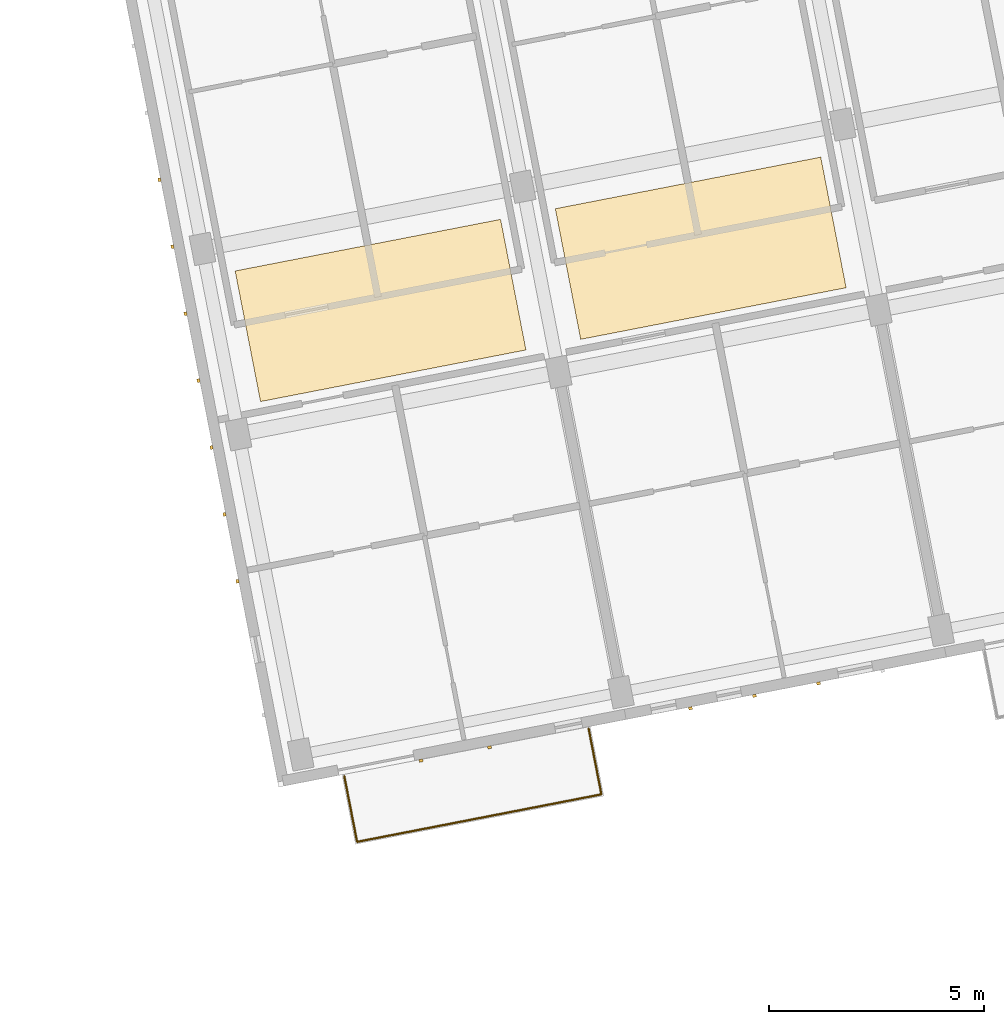
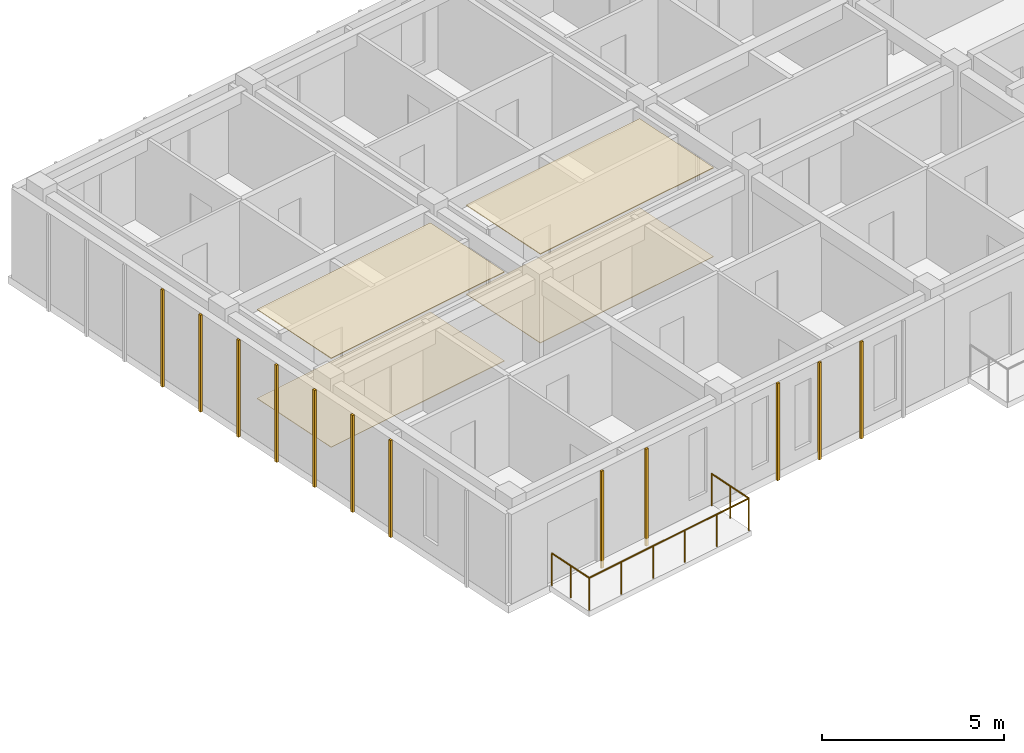
# One storey, part 102 of 127: 16 coverings, 1 railing.
"""IFC4 building model written with IfcOpenShell, lengths in metres."""

from ifc_helpers import new_model, si_unit, direction, frame, origin, origin_2d, place, context, subcontext, project, spatial, polyline, rectangle, circle, outline, extrude, material, layer, layer_set, type_object, element, save


model = new_model("IFC4")

# Units and contexts
model_context = context("Model", 3, precision=1e-05, world=origin(), true_north=direction((0.0, 1.0)))
body_context = subcontext(model_context, "Body", "Model", "MODEL_VIEW")
ifc_project = project(units=[si_unit("LENGTHUNIT", "METRE"), si_unit("AREAUNIT", "SQUARE_METRE"), si_unit("VOLUMEUNIT", "CUBIC_METRE"), si_unit("PLANEANGLEUNIT", "RADIAN"), si_unit("MASSUNIT", "GRAM", prefix="KILO")], contexts=[model_context])

# Site, building, storey
site_placement = place(None, origin())
site = spatial("IfcSite", under=ifc_project, at=site_placement, CompositionType="ELEMENT")
building_placement = place(site_placement, origin())
building = spatial("IfcBuilding", under=site, at=building_placement, Name="Kestramere Prow Commons", CompositionType="ELEMENT")
storey_placement = place(building_placement, frame((0.0, 0.0, 8.39990234375)))
storey = spatial("IfcBuildingStorey", under=building, at=storey_placement, Name="L02", CompositionType="ELEMENT", Elevation=8.39990234375)

# Coverings
ifc_material_1 = material(Name="Mineral Fibre Acoustic Ceiling Tile")
ifc_layer_1 = layer(ifc_material_1, 0.02490234375)
ifc_layer_set_1 = layer_set([ifc_layer_1], Name="Mineral Fibre Acoustic Ceiling Tile")
covering_type_1 = type_object("IfcCoveringType", Name="COV-CEIL-ACOUSTIC", PredefinedType="CEILING", material=ifc_layer_set_1)
covering_1_placement = place(storey_placement, frame((0.0, 0.0, 2.97509765625)))
element("IfcCovering", 1, at=covering_1_placement, inside=storey, type_object=covering_type_1, Name="Block D L02 Corridor Acoustic Ceiling 1", PredefinedType="CEILING", context=body_context, shape_type="SweptSolid", body=[
    extrude(outline(polyline([(117.4638671875, 42.222412109375), (123.648193359375, 43.424560546875), (123.056640625, 46.467529296875), (116.872314453125, 45.265380859375), (117.4638671875, 42.222412109375)])), origin(), (0.0, 0.0, 1.0), 0.02490234375),
])
covering_2_placement = place(storey_placement, frame((0.0, 0.0, 2.97509765625)))
element("IfcCovering", 2, at=covering_2_placement, inside=storey, type_object=covering_type_1, Name="Block D L02 Corridor Acoustic Ceiling 2", PredefinedType="CEILING", context=body_context, shape_type="SweptSolid", body=[
    extrude(outline(polyline([(124.92431640625, 43.672607421875), (131.1083984375, 44.874755859375), (130.51708984375, 47.917724609375), (124.332763671875, 46.715576171875), (124.92431640625, 43.672607421875)])), origin(), (0.0, 0.0, 1.0), 0.02490234375),
])
ifc_material_2 = material(Name="Weathered Zinc-Titanium Standing-Seam Cladding")
ifc_layer_2 = layer(ifc_material_2, 0.074951171875)
ifc_layer_set_2 = layer_set([ifc_layer_2], Name="Weathered Zinc-Titanium Standing-Seam Cladding")
covering_type_2 = type_object("IfcCoveringType", Name="COV-CLAD-SEAM", PredefinedType="CLADDING", material=ifc_layer_set_2)
for number, where, z_axis, x_axis, name in (
    (3, (122.79931640625, 34.1650390625, -0.25), (0.0, 0.0, 1.0), (-0.981627183448, -0.190808995377, 0.0), "EW-D-L02-S-0 Standing-Seam Rib 2"),
    (4, (121.2041015625, 33.85498046875, -0.25), (0.0, 0.0, 1.0), (-0.981627183448, -0.190808995377, 0.0), "EW-D-L02-S-0 Standing-Seam Rib 3"),
    (5, (130.4658203125, 35.6552734375, -0.25), (0.0, 0.0, 1.0), (-0.981627183448, -0.190808995377, 0.0), "EW-D-L02-S-1 Standing-Seam Rib 2"),
    (6, (128.973876953125, 35.365234375, -0.25), (0.0, 0.0, 1.0), (-0.981627183448, -0.190808995377, 0.0), "EW-D-L02-S-1 Standing-Seam Rib 3"),
    (7, (127.481689453125, 35.0751953125, -0.25), (0.0, 0.0, 1.0), (-0.981627183448, -0.190808995377, 0.0), "EW-D-L02-S-1 Standing-Seam Rib 4"),
    (8, (116.92578125, 38.033203125, -0.25), (0.0, 0.0, 1.0), (-0.190808995377, 0.981627183448, 0.0), "EW-D-L02-EAV Standing-Seam Rib 3"),
    (9, (116.622802734375, 39.592529296875, -0.25), (0.0, 0.0, 1.0), (-0.190808995377, 0.981627183448, 0.0), "EW-D-L02-EAV Standing-Seam Rib 4"),
    (10, (116.319580078125, 41.15185546875, -0.25), (0.0, 0.0, 1.0), (-0.190808995377, 0.981627183448, 0.0), "EW-D-L02-EAV Standing-Seam Rib 5"),
    (11, (116.0166015625, 42.7109375, -0.25), (0.0, 0.0, 1.0), (-0.190808995377, 0.981627183448, 0.0), "EW-D-L02-EAV Standing-Seam Rib 6"),
    (12, (115.71337890625, 44.270263671875, -0.25), (0.0, 0.0, 1.0), (-0.190808995377, 0.981627183448, 0.0), "EW-D-L02-EAV Standing-Seam Rib 7"),
    (13, (115.410400390625, 45.82958984375, -0.25), (0.0, 0.0, 1.0), (-0.190808995377, 0.981627183448, 0.0), "EW-D-L02-EAV Standing-Seam Rib 8"),
    (14, (115.107177734375, 47.388916015625, -0.25), (0.0, 0.0, 1.0), (-0.190808995377, 0.981627183448, 0.0), "EW-D-L02-EAV Standing-Seam Rib 9"),
):
    element("IfcCovering", number, at=place(storey_placement, frame(where, z_axis=z_axis, x_axis=x_axis)), inside=storey, type_object=covering_type_2, Name=name, PredefinedType="CLADDING", context=body_context, shape_type="SweptSolid", body=[
        extrude(rectangle(XDim=0.0849609375, YDim=0.06494140625, at=origin_2d()), origin(), (0.0, 0.0, 1.0), 3.25),
    ])
ifc_material_3 = material(Name="Honed Cementitious Terrazzo Tile")
ifc_layer_3 = layer(ifc_material_3, 0.02001953125)
ifc_layer_set_3 = layer_set([ifc_layer_3], Name="Honed Cementitious Terrazzo Tile")
covering_type_3 = type_object("IfcCoveringType", Name="COV-FLOOR-TERRAZZO", PredefinedType="FLOORING", material=ifc_layer_set_3)
covering_3_placement = place(storey_placement, origin())
element("IfcCovering", 15, at=covering_3_placement, inside=storey, type_object=covering_type_3, Name="Block D L02 Corridor Terrazzo Flooring 1", PredefinedType="FLOORING", context=body_context, shape_type="SweptSolid", body=[
    extrude(outline(polyline([(117.4638671875, 42.222412109375), (123.648193359375, 43.424560546875), (123.056640625, 46.467529296875), (116.872314453125, 45.265380859375), (117.4638671875, 42.222412109375)])), origin(), (0.0, 0.0, 1.0), 0.02001953125),
])
covering_4_placement = place(storey_placement, origin())
element("IfcCovering", 16, at=covering_4_placement, inside=storey, type_object=covering_type_3, Name="Block D L02 Corridor Terrazzo Flooring 2", PredefinedType="FLOORING", context=body_context, shape_type="SweptSolid", body=[
    extrude(outline(polyline([(124.92431640625, 43.672607421875), (131.1083984375, 44.874755859375), (130.51708984375, 47.917724609375), (124.332763671875, 46.715576171875), (124.92431640625, 43.672607421875)])), origin(), (0.0, 0.0, 1.0), 0.02001953125),
])

# Railing
ifc_material_4 = material(Name="Powder-Coated Aluminium 6063-T6", Category="aluminium")
railing_type = type_object("IfcRailingType", Name="GRD-BALC-1100", PredefinedType="BALUSTRADE", material=ifc_material_4)
railing_placement = place(storey_placement, frame((119.4150390625, 33.494384765625, 0.0)))
element("IfcRailing", 17, at=railing_placement, inside=storey, type_object=railing_type, Name="Block D L02 Balcony Guardrail 1", PredefinedType="BALUSTRADE", context=body_context, shape_type="SweptSolid", body=[
    extrude(circle(Radius=0.02392578125, at=origin_2d()), frame((0.0, 0.0, 1.076171875), z_axis=(0.190936682564, -0.981602354954, 0.0), x_axis=(0.981602354954, 0.190936682564, 0.0)), (0.0, 0.0, 1.0), 1.56005859375),
    extrude(circle(Radius=0.02392578125, at=origin_2d()), frame((0.2978515625, -1.53125, 1.076171875), z_axis=(0.981626779841, 0.190811071742, 0.0), x_axis=(-0.190811071742, 0.981626779841, 0.0)), (0.0, 0.0, 1.0), 5.7998046875),
    extrude(circle(Radius=0.02392578125, at=origin_2d()), frame((5.9912109375, -0.424560546875, 1.076171875), z_axis=(-0.19078587602, 0.981631677113, 0.0), x_axis=(-0.981631677113, -0.19078587602, 0.0)), (0.0, 0.0, 1.0), 1.559814453125),
    extrude(circle(Radius=0.02099609375, at=origin_2d()), origin(), (0.0, 0.0, 1.0), 1.052001953125),
    extrude(circle(Radius=0.02099609375, at=origin_2d()), frame((0.14892578125, -0.765625, 0.0)), (0.0, 0.0, 1.0), 1.052001953125),
    extrude(circle(Radius=0.02099609375, at=origin_2d()), frame((0.2978515625, -1.53125, 0.0)), (0.0, 0.0, 1.0), 1.052001953125),
    extrude(circle(Radius=0.02099609375, at=origin_2d()), frame((1.4365234375, -1.309814453125, 0.0)), (0.0, 0.0, 1.0), 1.052001953125),
    extrude(circle(Radius=0.02099609375, at=origin_2d()), frame((2.5751953125, -1.088623046875, 0.0)), (0.0, 0.0, 1.0), 1.052001953125),
    extrude(circle(Radius=0.02099609375, at=origin_2d()), frame((3.7138671875, -0.8671875, 0.0)), (0.0, 0.0, 1.0), 1.052001953125),
    extrude(circle(Radius=0.02099609375, at=origin_2d()), frame((4.8525390625, -0.64599609375, 0.0)), (0.0, 0.0, 1.0), 1.052001953125),
    extrude(circle(Radius=0.02099609375, at=origin_2d()), frame((5.9912109375, -0.424560546875, 0.0)), (0.0, 0.0, 1.0), 1.052001953125),
    extrude(circle(Radius=0.02099609375, at=origin_2d()), frame((5.84228515625, 0.341064453125, 0.0)), (0.0, 0.0, 1.0), 1.052001953125),
    extrude(circle(Radius=0.02099609375, at=origin_2d()), frame((5.693603515625, 1.106689453125, 0.0)), (0.0, 0.0, 1.0), 1.052001953125),
])

save(model, "model.ifc")
